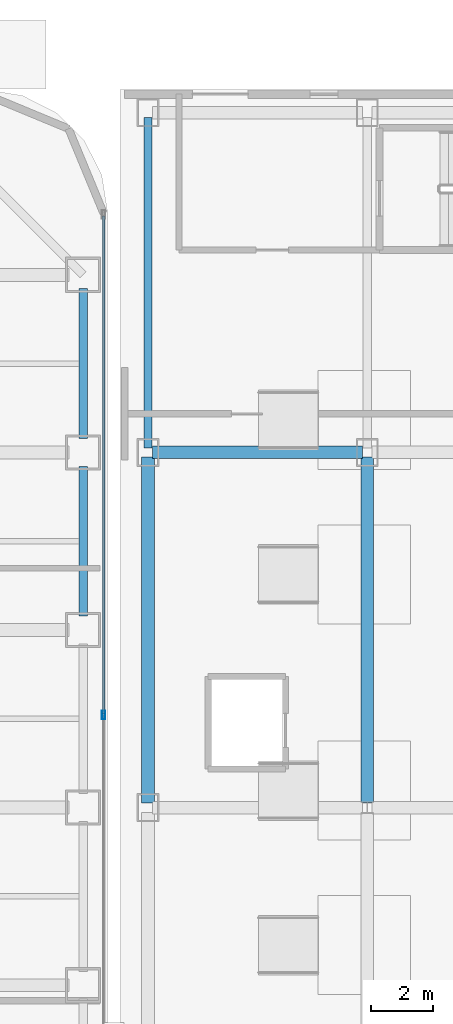
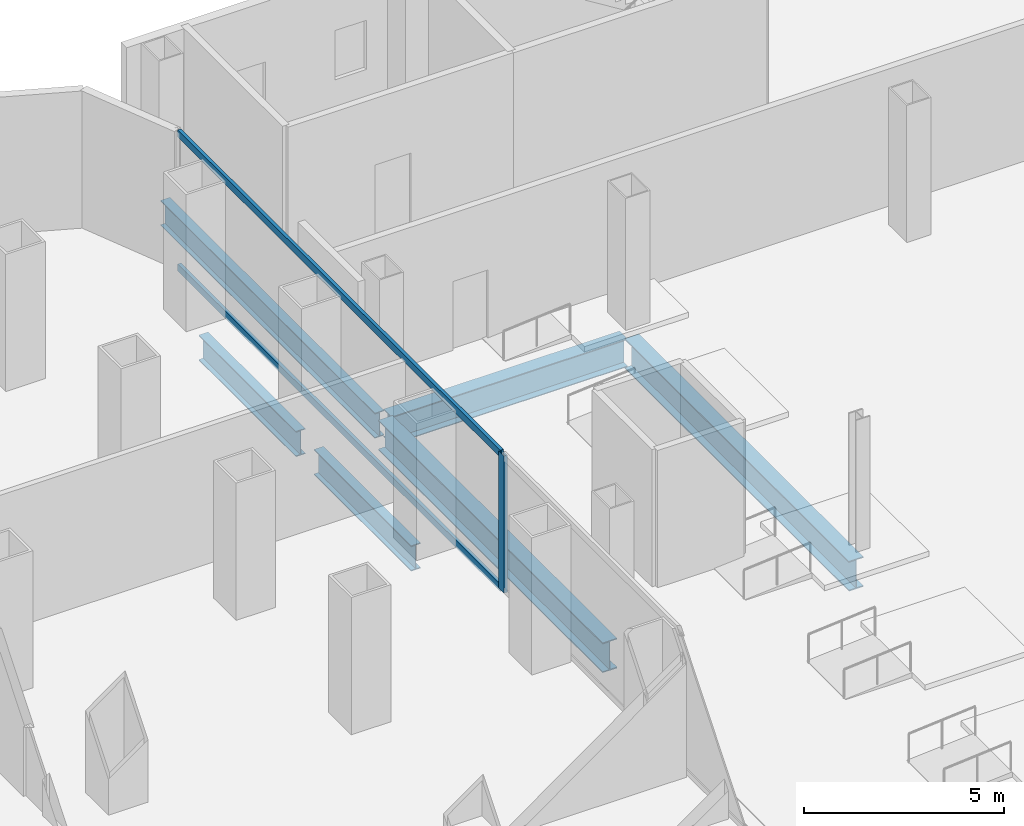
# One storey, part 13 of 31: 6 beams, 3 members, 1 element without a shape of its own.
"""IFC4 building model written with IfcOpenShell, lengths in metres."""

from ifc_helpers import new_model, si_unit, direction, frame, origin, origin_2d, place, context, subcontext, project, spatial, hollow_rectangle, i_section, extrude, source, transform, mapped, material, layer, layer_set, material_profile, profile_set, type_object, element, aggregate, save


model = new_model("IFC4")

# Units and contexts
model_context = context("Model", 3, precision=1e-05, world=origin(), true_north=direction((0.0, 1.0)))
body_context = subcontext(model_context, "Body", "Model", "MODEL_VIEW")
ifc_project = project(units=[si_unit("LENGTHUNIT", "METRE"), si_unit("AREAUNIT", "SQUARE_METRE"), si_unit("VOLUMEUNIT", "CUBIC_METRE"), si_unit("PLANEANGLEUNIT", "RADIAN"), si_unit("MASSUNIT", "GRAM", prefix="KILO")], contexts=[model_context])

# Site, building, storey
site_placement = place(None, origin())
site = spatial("IfcSite", under=ifc_project, at=site_placement, CompositionType="ELEMENT")
building_placement = place(site_placement, origin())
building = spatial("IfcBuilding", under=site, at=building_placement, Name="Kolveth Station Tower", CompositionType="ELEMENT")
storey_placement = place(building_placement, origin())
storey = spatial("IfcBuildingStorey", under=building, at=storey_placement, Name="L00", CompositionType="ELEMENT", Elevation=0.0)

# Beams
ifc_material_1 = material(Name="Steel S355", Category="steel")
ifc_material_profile_1 = material_profile(ifc_material_1, i_section(OverallWidth=0.26904296875, OverallDepth=0.77490234375, WebThickness=0.01708984375, FlangeThickness=0.0283203125, at=origin_2d()), Name="W760x220")
ifc_profile_set_1 = profile_set([ifc_material_profile_1], Name="Steel S355")
beam_type_1 = type_object("IfcBeamType", Name="Beam_SP1", PredefinedType="SPANDREL", material=ifc_profile_set_1)
shared_shape_1 = source(origin(), body_context, "Body", "SweptSolid", [
    extrude(i_section(OverallWidth=0.26904296875, OverallDepth=0.77490234375, WebThickness=0.01708984375, FlangeThickness=0.0283203125, at=origin_2d()), origin(), (0.0, 0.0, 1.0), 4.85009765625),
])
for number, where, z_axis, x_axis, name in (
    (1, (46.199951171875, 23.449951171875, -0.70751953125), (0.0, 1.0, 0.0), (-1.0, 0.0, 0.0), "L00 Perimeter Spandrel BM-L00-PE-4"),
    (2, (46.199951171875, 29.199951171875, -0.70751953125), (0.0, 1.0, 0.0), (-1.0, 0.0, 0.0), "L00 Perimeter Spandrel BM-L00-PE-5"),
):
    element("IfcBeam", number, at=place(storey_placement, frame(where, z_axis=z_axis, x_axis=x_axis)), inside=storey, type_object=beam_type_1, Name=name, PredefinedType="SPANDREL", context=body_context, shape_type="MappedRepresentation", body=[
        mapped(shared_shape_1, transform((0.0, 0.0, 0.0), x_axis=(1.0, 0.0, 0.0), y_axis=(0.0, 1.0, 0.0), z_axis=(0.0, 0.0, 1.0), scale=1.0)),
    ])
ifc_material_profile_2 = material_profile(ifc_material_1, i_section(OverallWidth=0.40087890625, OverallDepth=0.85107421875, WebThickness=0.01611328125, FlangeThickness=0.025390625, at=origin_2d()), Name="W840x226")
ifc_profile_set_2 = profile_set([ifc_material_profile_2], Name="Steel S355")
beam_type_2 = type_object("IfcBeamType", Name="Beam_B2", PredefinedType="BEAM", material=ifc_profile_set_2)
shared_shape_2 = source(origin(), body_context, "Body", "SweptSolid", [
    extrude(i_section(OverallWidth=0.40087890625, OverallDepth=0.85107421875, WebThickness=0.01611328125, FlangeThickness=0.025390625, at=origin_2d()), origin(), (0.0, 0.0, 1.0), 6.800048828125),
])
beam_1_placement = place(storey_placement, frame((48.449951171875, 28.75, -0.74560546875), z_axis=(1.0, 0.0, 0.0), x_axis=(0.0, 1.0, 0.0)))
element("IfcBeam", 3, at=beam_1_placement, inside=storey, type_object=beam_type_2, Name="L00 Station Portal Girder SBM-L00-EW-5-1", PredefinedType="BEAM", context=body_context, shape_type="MappedRepresentation", body=[
    mapped(shared_shape_2, transform((0.0, 0.0, 0.0), x_axis=(1.0, 0.0, 0.0), y_axis=(0.0, 1.0, 0.0), z_axis=(0.0, 0.0, 1.0), scale=1.0)),
])
ifc_material_profile_3 = material_profile(ifc_material_1, i_section(OverallWidth=0.41796875, OverallDepth=0.912109375, WebThickness=0.019287109375, FlangeThickness=0.031982421875, at=origin_2d()), Name="W920x342")
ifc_profile_set_3 = profile_set([ifc_material_profile_3], Name="Steel S355")
beam_type_3 = type_object("IfcBeamType", Name="Beam_B1", PredefinedType="BEAM", material=ifc_profile_set_3)
shared_shape_3 = source(origin(), body_context, "Body", "SweptSolid", [
    extrude(i_section(OverallWidth=0.41796875, OverallDepth=0.912109375, WebThickness=0.019287109375, FlangeThickness=0.031982421875, at=origin_2d()), origin(), (0.0, 0.0, 1.0), 11.2001953125),
])
for number, where, z_axis, x_axis, name in (
    (4, (48.300048828125, 17.39990234375, -0.77587890625), (0.0, 1.0, 0.0), (-1.0, 0.0, 0.0), "L00 Station Spine Girder SBM-L00-NS-1-4"),
    (5, (55.39990234375, 17.39990234375, -0.77587890625), (0.0, 1.0, 0.0), (-1.0, 0.0, 0.0), "L00 Station Spine Girder SBM-L00-NS-2-4"),
):
    element("IfcBeam", number, at=place(storey_placement, frame(where, z_axis=z_axis, x_axis=x_axis)), inside=storey, type_object=beam_type_3, Name=name, PredefinedType="BEAM", context=body_context, shape_type="MappedRepresentation", body=[
        mapped(shared_shape_3, transform((0.0, 0.0, 0.0), x_axis=(1.0, 0.0, 0.0), y_axis=(0.0, 1.0, 0.0), z_axis=(0.0, 0.0, 1.0), scale=1.0)),
    ])
ifc_material_profile_4 = material_profile(ifc_material_1, i_section(OverallWidth=0.26708984375, OverallDepth=0.76611328125, WebThickness=0.014892578125, FlangeThickness=0.023681640625, at=origin_2d()), Name="W760x185")
ifc_profile_set_4 = profile_set([ifc_material_profile_4], Name="Steel S355")
beam_type_4 = type_object("IfcBeamType", Name="Beam_B3", PredefinedType="BEAM", material=ifc_profile_set_4)
shared_shape_4 = source(origin(), body_context, "Body", "SweptSolid", [
    extrude(i_section(OverallWidth=0.26708984375, OverallDepth=0.76611328125, WebThickness=0.014892578125, FlangeThickness=0.023681640625, at=origin_2d()), origin(), (0.0, 0.0, 1.0), 10.7001953125),
])
beam_2_placement = place(storey_placement, frame((48.300048828125, 28.89990234375, -0.702880859375), z_axis=(0.0, 1.0, 0.0), x_axis=(-1.0, 0.0, 0.0)))
element("IfcBeam", 6, at=beam_2_placement, inside=storey, type_object=beam_type_4, Name="L00 Station Spine Girder SBM-L00-NS-1-5", PredefinedType="BEAM", context=body_context, shape_type="MappedRepresentation", body=[
    mapped(shared_shape_4, transform((0.0, 0.0, 0.0), x_axis=(1.0, 0.0, 0.0), y_axis=(0.0, 1.0, 0.0), z_axis=(0.0, 0.0, 1.0), scale=1.0)),
])

# Curtain wall, members
ifc_material_2 = material(Name="Black anodized aluminium 6063-T6 and clear station glass", Category="aluminium")
ifc_layer = layer(ifc_material_2, 0.239990234375)
ifc_layer_set = layer_set([ifc_layer], Name="Black anodized aluminium 6063-T6 and clear station glass")
curtain_wall_type = type_object("IfcCurtainWallType", Name="CurtainWall_CW-ST", PredefinedType="NOTDEFINED", material=ifc_layer_set)
curtain_wall_placement = place(storey_placement, origin())
curtain_wall = element("IfcCurtainWall", 7, at=curtain_wall_placement, inside=storey, type_object=curtain_wall_type, Name="L00 Tower Podium East Storefront Curtain Wall", PredefinedType="NOTDEFINED")
ifc_material_3 = material(Name="Black anodized aluminium 6063-T6", Category="aluminium")
ifc_material_profile_5 = material_profile(ifc_material_3, hollow_rectangle(XDim=0.10009765625, YDim=0.280029296875, WallThickness=0.0048828125, at=origin_2d()), Name="ALU-100x280x5")
ifc_profile_set_5 = profile_set([ifc_material_profile_5], Name="Black anodized aluminium 6063-T6")
member_type_1 = type_object("IfcMemberType", Name="Mullion_ML-ST", PredefinedType="MULLION", material=ifc_profile_set_5)
shared_shape_5 = source(origin(), body_context, "Body", "SweptSolid", [
    extrude(hollow_rectangle(XDim=0.10009765625, YDim=0.280029296875, WallThickness=0.0048828125, at=origin_2d()), origin(), (0.0, 0.0, 1.0), 4.179931640625),
])
member_1_placement = place(storey_placement, frame((46.860107421875, 20.25, 0.0), z_axis=(0.0, 0.0, 1.0), x_axis=(-1.0, 0.0, 0.0)))
member_1 = element("IfcMember", 8, at=member_1_placement, type_object=member_type_1, Name="CW-ST mullion 2", PredefinedType="MULLION", context=body_context, shape_type="MappedRepresentation", body=[
    mapped(shared_shape_5, transform((0.0, 0.0, 0.0), x_axis=(1.0, 0.0, 0.0), y_axis=(0.0, 1.0, 0.0), z_axis=(0.0, 0.0, 1.0), scale=1.0)),
])
ifc_material_profile_6 = material_profile(ifc_material_3, hollow_rectangle(XDim=0.094970703125, YDim=0.219970703125, WallThickness=0.0048828125, at=origin_2d()), Name="ALU-95x220x5")
ifc_profile_set_6 = profile_set([ifc_material_profile_6], Name="Black anodized aluminium 6063-T6")
member_type_2 = type_object("IfcMemberType", Name="Transom_TR-ST", PredefinedType="USERDEFINED", material=ifc_profile_set_6)
shared_shape_6 = source(origin(), body_context, "Body", "SweptSolid", [
    extrude(hollow_rectangle(XDim=0.094970703125, YDim=0.219970703125, WallThickness=0.0048828125, at=origin_2d()), origin(), (0.0, 0.0, 1.0), 16.099853515625),
])
member_2_placement = place(storey_placement, frame((46.860107421875, 20.300048828125, 0.047607421875), z_axis=(0.0, 1.0, 0.0), x_axis=(-1.0, 0.0, 0.0)))
member_2 = element("IfcMember", 9, at=member_2_placement, type_object=member_type_2, Name="CW-ST transom 2.1", ObjectType="TRANSOM", PredefinedType="USERDEFINED", context=body_context, shape_type="MappedRepresentation", body=[
    mapped(shared_shape_6, transform((0.0, 0.0, 0.0), x_axis=(1.0, 0.0, 0.0), y_axis=(0.0, 1.0, 0.0), z_axis=(0.0, 0.0, 1.0), scale=1.0)),
])
member_3_placement = place(storey_placement, frame((46.860107421875, 20.300048828125, 4.132568359375), z_axis=(0.0, 1.0, 0.0), x_axis=(-1.0, 0.0, 0.0)))
member_3 = element("IfcMember", 10, at=member_3_placement, type_object=member_type_2, Name="CW-ST transom 2.2", ObjectType="TRANSOM", PredefinedType="USERDEFINED", context=body_context, shape_type="MappedRepresentation", body=[
    mapped(shared_shape_6, transform((0.0, 0.0, 0.0), x_axis=(1.0, 0.0, 0.0), y_axis=(0.0, 1.0, 0.0), z_axis=(0.0, 0.0, 1.0), scale=1.0)),
])
aggregate(curtain_wall, [member_1, member_2, member_3])

save(model, "model.ifc")
